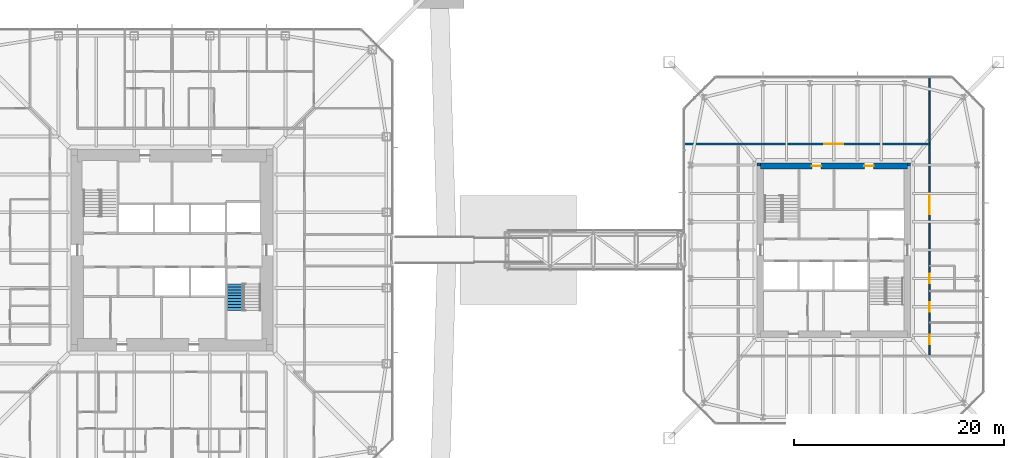
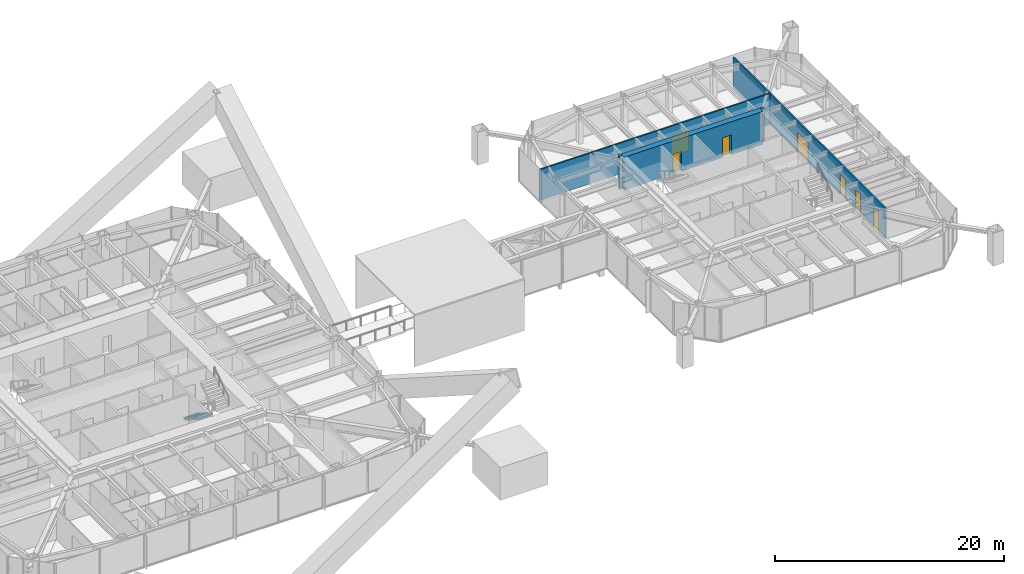
# One storey, part 22 of 28: 7 doors, 5 walls, 1 stair flight, 7 openings, 1 element without a shape of its own.
"""IFC4 building model written with IfcOpenShell, lengths in metres."""

from ifc_helpers import new_model, si_unit, direction, frame, frame_2d, origin, place, context, subcontext, project, spatial, polyline, rectangle, outline, extrude, material, layer, layer_set, constituent, constituent_set, type_object, element, fill, aggregate, save


model = new_model("IFC4")

# Units and contexts
model_context = context("Model", 3, precision=1e-05, world=origin(), true_north=direction((0.0, 1.0)))
body_context = subcontext(model_context, "Body", "Model", "MODEL_VIEW")
ifc_project = project(units=[si_unit("LENGTHUNIT", "METRE"), si_unit("AREAUNIT", "SQUARE_METRE"), si_unit("VOLUMEUNIT", "CUBIC_METRE"), si_unit("PLANEANGLEUNIT", "RADIAN"), si_unit("MASSUNIT", "GRAM", prefix="KILO")], contexts=[model_context])

# Site, building, storey
site_placement = place(None, origin())
site = spatial("IfcSite", under=ifc_project, at=site_placement, CompositionType="ELEMENT")
building_placement = place(site_placement, origin())
building = spatial("IfcBuilding", under=site, at=building_placement, Name="Iwan Alto Co-Living Towers", CompositionType="ELEMENT")
storey_placement = place(building_placement, frame((0.0, 0.0, 98.0)))
storey = spatial("IfcBuildingStorey", under=building, at=storey_placement, Name="L26", CompositionType="ELEMENT", Elevation=98.0)

# Wall, opening, door
ifc_material_1 = material(Name="Gypsum board")
ifc_layer_1 = layer(ifc_material_1, 0.02490234375, Name="Board", Category="Finish")
ifc_material_2 = material(Name="Steel ASTM A1003 ST33H cold-formed studs", Category="steel")
ifc_layer_2 = layer(ifc_material_2, 0.10009765625, Name="Studs", Category="Framing")
ifc_layer_3 = layer(ifc_material_1, 0.02490234375, Name="Board", Category="Finish")
ifc_layer_set_1 = layer_set([ifc_layer_1, ifc_layer_2, ifc_layer_3], Name="CORRIDOR WALL 150")
wall_type_1 = type_object("IfcWallType", Name="CORRIDOR WALL 150", PredefinedType="PARTITIONING", material=ifc_layer_set_1)
wall_1_placement = place(storey_placement, frame((48.81005859375, 10.10009765625, 0.0), z_axis=(0.0, 0.0, 1.0), x_axis=(1.0, 0.0, 0.0)))
wall_1 = element("IfcWall", 1, at=wall_1_placement, inside=storey, type_object=wall_type_1, Name="Partition L26", PredefinedType="PARTITIONING", context=body_context, shape_type="SweptSolid", body=[
    extrude(rectangle(XDim=23.2900390625, YDim=0.14990234375, at=frame_2d((11.64501953125, 0.0))), origin(), (0.0, 0.0, 1.0), 3.27001953125),
])
opening_1_placement = place(wall_1_placement, frame((13.2900390625, 0.0, 0.0)))
opening_1 = element("IfcOpeningElement", 2, at=opening_1_placement, cuts=wall_1, Name="Opening D9", PredefinedType="OPENING", context=body_context, shape_type="SweptSolid", body=[
    extrude(rectangle(XDim=1.800048828125, YDim=2.10009765625, at=frame_2d((0.89990234375, 1.050048828125))), frame((0.0, 0.0849609375, 0.0), z_axis=(0.0, -1.0, 0.0), x_axis=(1.0, 0.0, 0.0)), (0.0, 0.0, 1.0), 0.169921875),
])
ifc_material_3 = material(Name="Steel frame with timber leaf", Category="steel")
door_type_1 = type_object("IfcDoorType", Name="LOUNGE DOOR FD30S 1800X2100", OperationType="DOUBLE_DOOR_SINGLE_SWING", PredefinedType="DOOR", material=ifc_material_3)
door_1_placement = place(opening_1_placement, origin())
door_1 = element("IfcDoor", 3, at=door_1_placement, inside=storey, type_object=door_type_1, Name="Residents' study lounge door L26", OperationType="DOUBLE_DOOR_SINGLE_SWING", OverallHeight=2.10009765625, OverallWidth=1.800048828125, PredefinedType="DOOR", context=body_context, shape_type="SweptSolid", body=[
    extrude(rectangle(XDim=1.800048828125, YDim=2.10009765625, at=frame_2d((0.89990234375, 1.050048828125))), frame((0.0, 0.02490234375, 0.0), z_axis=(0.0, -1.0, 0.0), x_axis=(1.0, 0.0, 0.0)), (0.0, 0.0, 1.0), 0.050048828125),
])
fill(opening_1, door_1)

# Wall, openings, doors
wall_2_placement = place(storey_placement, frame((72.10009765625, -10.10009765625, 0.0), z_axis=(0.0, 0.0, 1.0), x_axis=(0.0, 1.0, 0.0)))
wall_2 = element("IfcWall", 4, at=wall_2_placement, inside=storey, type_object=wall_type_1, Name="Partition L26", PredefinedType="PARTITIONING", context=body_context, shape_type="SweptSolid", body=[
    extrude(rectangle(XDim=26.5400390625, YDim=0.14990234375, at=frame_2d((13.27001953125, 0.0))), origin(), (0.0, 0.0, 1.0), 3.27001953125),
])
opening_2_placement = place(wall_2_placement, frame((1.14990234375, 0.0, 0.0)))
opening_2 = element("IfcOpeningElement", 5, at=opening_2_placement, cuts=wall_2, Name="Opening D4", PredefinedType="OPENING", context=body_context, shape_type="SweptSolid", body=[
    extrude(rectangle(XDim=0.89990234375, YDim=2.10009765625, at=frame_2d((0.449951171875, 1.050048828125))), frame((0.0, 0.0849609375, 0.0), z_axis=(0.0, -1.0, 0.0), x_axis=(1.0, 0.0, 0.0)), (0.0, 0.0, 1.0), 0.169921875),
])
opening_3_placement = place(wall_2_placement, frame((4.25, 0.0, 0.0)))
opening_3 = element("IfcOpeningElement", 6, at=opening_3_placement, cuts=wall_2, Name="Opening D4", PredefinedType="OPENING", context=body_context, shape_type="SweptSolid", body=[
    extrude(rectangle(XDim=0.89990234375, YDim=2.10009765625, at=frame_2d((0.449951171875, 1.050048828125))), frame((0.0, 0.0849609375, 0.0), z_axis=(0.0, -1.0, 0.0), x_axis=(1.0, 0.0, 0.0)), (0.0, 0.0, 1.0), 0.169921875),
])
opening_4_placement = place(wall_2_placement, frame((6.949951171875, 0.0, 0.0)))
opening_4 = element("IfcOpeningElement", 7, at=opening_4_placement, cuts=wall_2, Name="Opening D4", PredefinedType="OPENING", context=body_context, shape_type="SweptSolid", body=[
    extrude(rectangle(XDim=0.89990234375, YDim=2.10009765625, at=frame_2d((0.449951171875, 1.050048828125))), frame((0.0, 0.0849609375, 0.0), z_axis=(0.0, -1.0, 0.0), x_axis=(1.0, 0.0, 0.0)), (0.0, 0.0, 1.0), 0.169921875),
])
opening_5_placement = place(wall_2_placement, frame((13.5, 0.0, 0.0)))
opening_5 = element("IfcOpeningElement", 8, at=opening_5_placement, cuts=wall_2, Name="Opening D9", PredefinedType="OPENING", context=body_context, shape_type="SweptSolid", body=[
    extrude(rectangle(XDim=1.800048828125, YDim=2.10009765625, at=frame_2d((0.89990234375, 1.050048828125))), frame((0.0, 0.0849609375, 0.0), z_axis=(0.0, -1.0, 0.0), x_axis=(1.0, 0.0, 0.0)), (0.0, 0.0, 1.0), 0.169921875),
])
door_2_placement = place(opening_5_placement, frame((1.800048828125, 0.0, 0.0), z_axis=(0.0, 0.0, 1.0), x_axis=(-1.0, 0.0, 0.0)))
door_2 = element("IfcDoor", 9, at=door_2_placement, inside=storey, type_object=door_type_1, Name="Library lounge door L26", OperationType="DOUBLE_DOOR_SINGLE_SWING", OverallHeight=2.10009765625, OverallWidth=1.800048828125, PredefinedType="DOOR", context=body_context, shape_type="SweptSolid", body=[
    extrude(rectangle(XDim=1.800048828125, YDim=2.10009765625, at=frame_2d((0.89990234375, 1.050048828125))), frame((0.0, 0.02490234375, 0.0), z_axis=(0.0, -1.0, 0.0), x_axis=(1.0, 0.0, 0.0)), (0.0, 0.0, 1.0), 0.050048828125),
])
fill(opening_5, door_2)
ifc_material_4 = material(Name="Timber leaf in steel frame", Category="steel")
door_type_2 = type_object("IfcDoorType", Name="WC DOOR 900X2100", OperationType="SINGLE_SWING_LEFT", PredefinedType="DOOR", material=ifc_material_4)
door_3_placement = place(opening_2_placement, frame((0.89990234375, 0.0, 0.0), z_axis=(0.0, 0.0, 1.0), x_axis=(-1.0, 0.0, 0.0)))
door_3 = element("IfcDoor", 10, at=door_3_placement, inside=storey, type_object=door_type_2, Name="Women's toilets door L26", OperationType="SINGLE_SWING_RIGHT", OverallHeight=2.10009765625, OverallWidth=0.89990234375, PredefinedType="DOOR", context=body_context, shape_type="SweptSolid", body=[
    extrude(rectangle(XDim=0.89990234375, YDim=2.10009765625, at=frame_2d((0.449951171875, 1.050048828125))), frame((0.0, 0.02490234375, 0.0), z_axis=(0.0, -1.0, 0.0), x_axis=(1.0, 0.0, 0.0)), (0.0, 0.0, 1.0), 0.050048828125),
])
fill(opening_2, door_3)
door_4_placement = place(opening_3_placement, frame((0.89990234375, 0.0, 0.0), z_axis=(0.0, 0.0, 1.0), x_axis=(-1.0, 0.0, 0.0)))
door_4 = element("IfcDoor", 11, at=door_4_placement, inside=storey, type_object=door_type_2, Name="Men's toilets door L26", OperationType="SINGLE_SWING_RIGHT", OverallHeight=2.10009765625, OverallWidth=0.89990234375, PredefinedType="DOOR", context=body_context, shape_type="SweptSolid", body=[
    extrude(rectangle(XDim=0.89990234375, YDim=2.10009765625, at=frame_2d((0.449951171875, 1.050048828125))), frame((0.0, 0.02490234375, 0.0), z_axis=(0.0, -1.0, 0.0), x_axis=(1.0, 0.0, 0.0)), (0.0, 0.0, 1.0), 0.050048828125),
])
fill(opening_3, door_4)
door_5_placement = place(opening_4_placement, frame((0.89990234375, 0.0, 0.0), z_axis=(0.0, 0.0, 1.0), x_axis=(-1.0, 0.0, 0.0)))
door_5 = element("IfcDoor", 12, at=door_5_placement, inside=storey, type_object=door_type_2, Name="Accessible WC door L26", OperationType="SINGLE_SWING_RIGHT", OverallHeight=2.10009765625, OverallWidth=0.89990234375, PredefinedType="DOOR", context=body_context, shape_type="SweptSolid", body=[
    extrude(rectangle(XDim=0.89990234375, YDim=2.10009765625, at=frame_2d((0.449951171875, 1.050048828125))), frame((0.0, 0.02490234375, 0.0), z_axis=(0.0, -1.0, 0.0), x_axis=(1.0, 0.0, 0.0)), (0.0, 0.0, 1.0), 0.050048828125),
])
fill(opening_4, door_5)

# Walls
ifc_material_5 = material(Name="Concrete f'c 70 MPa", Category="concrete")
ifc_layer_4 = layer(ifc_material_5, 0.300048828125)
ifc_layer_set_2 = layer_set([ifc_layer_4], Name="T2 CORE CORNER FILL 300")
wall_type_2 = type_object("IfcWallType", Name="T2 CORE CORNER FILL 300", PredefinedType="SOLIDWALL", material=ifc_layer_set_2)
for number, where, z_axis, x_axis, name in (
    (13, (70.0, 8.14990234375, 0.0), (0.0, 0.0, 1.0), (1.0, 0.0, 0.0), "T2 core corner NE L26"),
    (14, (55.699951171875, 8.14990234375, 0.0), (0.0, 0.0, 1.0), (1.0, 0.0, 0.0), "T2 core corner NW L26"),
):
    element("IfcWall", number, at=place(storey_placement, frame(where, z_axis=z_axis, x_axis=x_axis)), inside=storey, type_object=wall_type_2, Name=name, PredefinedType="SOLIDWALL", context=body_context, shape_type="SweptSolid", body=[
        extrude(rectangle(XDim=0.300048828125, YDim=0.300048828125, at=frame_2d((0.14990234375, 0.0))), origin(), (0.0, 0.0, 1.0), 3.5),
    ])

# Wall, openings, doors
ifc_material_6 = material(Name="Concrete f'c 70 MPa", Category="concrete")
ifc_layer_5 = layer(ifc_material_6, 0.60009765625)
ifc_layer_set_3 = layer_set([ifc_layer_5], Name="T2 CORE WALL 600")
wall_type_3 = type_object("IfcWallType", Name="T2 CORE WALL 600", PredefinedType="SHEAR", material=ifc_layer_set_3)
wall_3_placement = place(storey_placement, frame((70.0, 8.0, 0.0), z_axis=(0.0, 0.0, 1.0), x_axis=(-1.0, 0.0, 0.0)))
wall_3 = element("IfcWall", 15, at=wall_3_placement, inside=storey, type_object=wall_type_3, Name="T2 core wall N L26", PredefinedType="SHEAR", context=body_context, shape_type="SweptSolid", body=[
    extrude(rectangle(XDim=14.0, YDim=0.60009765625, at=frame_2d((7.0, 0.0))), origin(), (0.0, 0.0, 1.0), 3.5),
])
opening_6_placement = place(wall_3_placement, frame((8.199951171875, 0.0, 0.0)))
opening_6 = element("IfcOpeningElement", 16, at=opening_6_placement, cuts=wall_3, Name="Opening D8", PredefinedType="OPENING", context=body_context, shape_type="SweptSolid", body=[
    extrude(rectangle(XDim=0.89990234375, YDim=2.10009765625, at=frame_2d((0.449951171875, 1.050048828125))), frame((0.0, 0.31005859375, 0.0), z_axis=(0.0, -1.0, 0.0), x_axis=(1.0, 0.0, 0.0)), (0.0, 0.0, 1.0), 0.6201171875),
])
opening_7_placement = place(wall_3_placement, frame((3.199951171875, 0.0, 0.0)))
opening_7 = element("IfcOpeningElement", 17, at=opening_7_placement, cuts=wall_3, Name="Opening D8", PredefinedType="OPENING", context=body_context, shape_type="SweptSolid", body=[
    extrude(rectangle(XDim=0.89990234375, YDim=2.10009765625, at=frame_2d((0.449951171875, 1.050048828125))), frame((0.0, 0.31005859375, 0.0), z_axis=(0.0, -1.0, 0.0), x_axis=(1.0, 0.0, 0.0)), (0.0, 0.0, 1.0), 0.6201171875),
])
ifc_material_7 = material(Name="Steel frame with timber leaf", Category="steel")
door_type_3 = type_object("IfcDoorType", Name="RISER DOOR FD120 900X2100", OperationType="SINGLE_SWING_LEFT", PredefinedType="DOOR", material=ifc_material_7)
door_6_placement = place(opening_6_placement, origin())
door_6 = element("IfcDoor", 18, at=door_6_placement, inside=storey, type_object=door_type_3, Name="Electrical riser core door L26", OperationType="SINGLE_SWING_RIGHT", OverallHeight=2.10009765625, OverallWidth=0.89990234375, PredefinedType="DOOR", context=body_context, shape_type="SweptSolid", body=[
    extrude(rectangle(XDim=0.89990234375, YDim=2.10009765625, at=frame_2d((0.449951171875, 1.050048828125))), frame((0.0, 0.02490234375, 0.0), z_axis=(0.0, -1.0, 0.0), x_axis=(1.0, 0.0, 0.0)), (0.0, 0.0, 1.0), 0.050048828125),
])
fill(opening_6, door_6)
door_7_placement = place(opening_7_placement, origin())
door_7 = element("IfcDoor", 19, at=door_7_placement, inside=storey, type_object=door_type_3, Name="Water and drainage riser core door L26", OperationType="SINGLE_SWING_RIGHT", OverallHeight=2.10009765625, OverallWidth=0.89990234375, PredefinedType="DOOR", context=body_context, shape_type="SweptSolid", body=[
    extrude(rectangle(XDim=0.89990234375, YDim=2.10009765625, at=frame_2d((0.449951171875, 1.050048828125))), frame((0.0, 0.02490234375, 0.0), z_axis=(0.0, -1.0, 0.0), x_axis=(1.0, 0.0, 0.0)), (0.0, 0.0, 1.0), 0.050048828125),
])
fill(opening_7, door_7)

# Stair, stair flight
ifc_material_8 = material(Name="Steel ASTM A36", Category="steel")
ifc_constituent_1 = constituent(ifc_material_8, Name="Stringers", Category="LoadBearing")
ifc_material_9 = material(Name="Concrete f'c 30 MPa", Category="concrete")
ifc_constituent_2 = constituent(ifc_material_9, Name="Tread fill", Category="Finish")
ifc_constituent_set_1 = constituent_set(constituents=[ifc_constituent_1, ifc_constituent_2], Name="STAIR 3500 TWO-FLIGHT T1 CORE")
stair_type = type_object("IfcStairType", Name="STAIR 3500 TWO-FLIGHT T1 CORE", PredefinedType="HALF_TURN_STAIR", material=ifc_constituent_set_1)
stair_placement = place(storey_placement, origin())
stair = element("IfcStair", 20, at=stair_placement, inside=storey, type_object=stair_type, Name="Stair T1-S2 L26 to L27", PredefinedType="HALF_TURN_STAIR")
ifc_constituent_3 = constituent(ifc_material_8, Name="Stringers", Category="LoadBearing")
ifc_constituent_4 = constituent(ifc_material_9, Name="Tread fill", Category="Finish")
ifc_constituent_set_2 = constituent_set(constituents=[ifc_constituent_3, ifc_constituent_4], Name="STAIR FLIGHT 10 RISERS 280 GOING")
stair_flight_type = type_object("IfcStairFlightType", Name="STAIR FLIGHT 10 RISERS 280 GOING", PredefinedType="STRAIGHT", material=ifc_constituent_set_2)
stair_flight_placement = place(storey_placement, frame((6.010009765625, -3.219970703125, 0.0), z_axis=(0.0, 0.0, 1.0), x_axis=(0.0, -1.0, 0.0)))
stair_flight = element("IfcStairFlight", 21, at=stair_flight_placement, type_object=stair_flight_type, Name="T1-S2 flight 1", NumberOfRisers=10, NumberOfTreads=9, PredefinedType="STRAIGHT", RiserHeight=0.175, TreadLength=0.28, context=body_context, shape_type="SweptSolid", body=[
    extrude(outline(polyline([(0.0, 0.0), (0.0, 0.175048828125), (0.280029296875, 0.175048828125), (0.280029296875, 0.35009765625), (0.56005859375, 0.35009765625), (0.56005859375, 0.52490234375), (0.840087890625, 0.52490234375), (0.840087890625, 0.699951171875), (1.1201171875, 0.699951171875), (1.1201171875, 0.875), (1.39990234375, 0.875), (1.39990234375, 1.050048828125), (1.679931640625, 1.050048828125), (1.679931640625, 1.22509765625), (1.9599609375, 1.22509765625), (1.9599609375, 1.39990234375), (2.239990234375, 1.39990234375), (2.239990234375, 1.574951171875), (2.52001953125, 1.574951171875), (2.52001953125, 1.75), (2.52001953125, 1.398193359375), (0.28271484375, 0.0), (0.0, 0.0)])), frame((0.0, 0.739990234375, 0.0), z_axis=(0.0, -1.0, 0.0), x_axis=(1.0, 0.0, 0.0)), (0.0, 0.0, 1.0), 1.47998046875),
])
aggregate(stair, [stair_flight])

save(model, "model.ifc")
